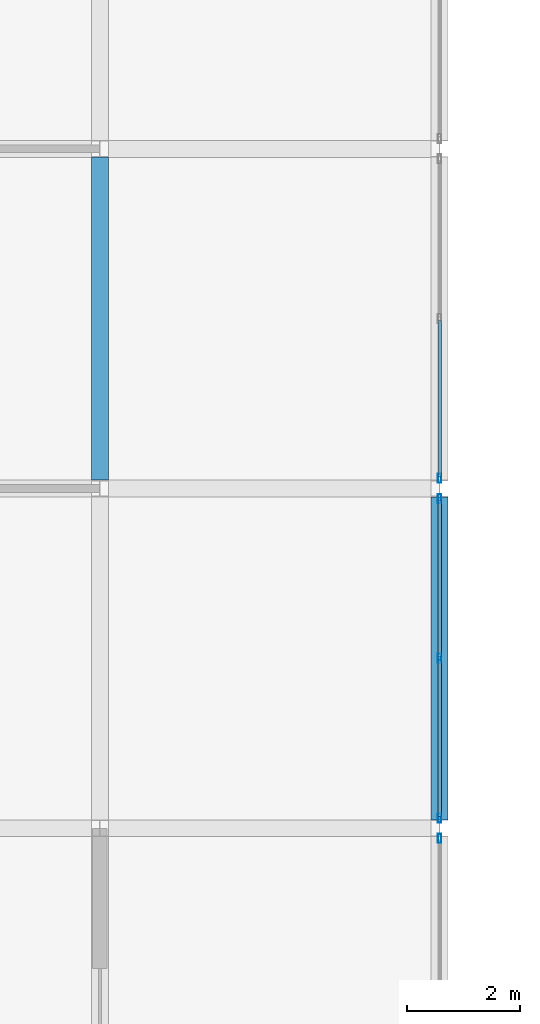
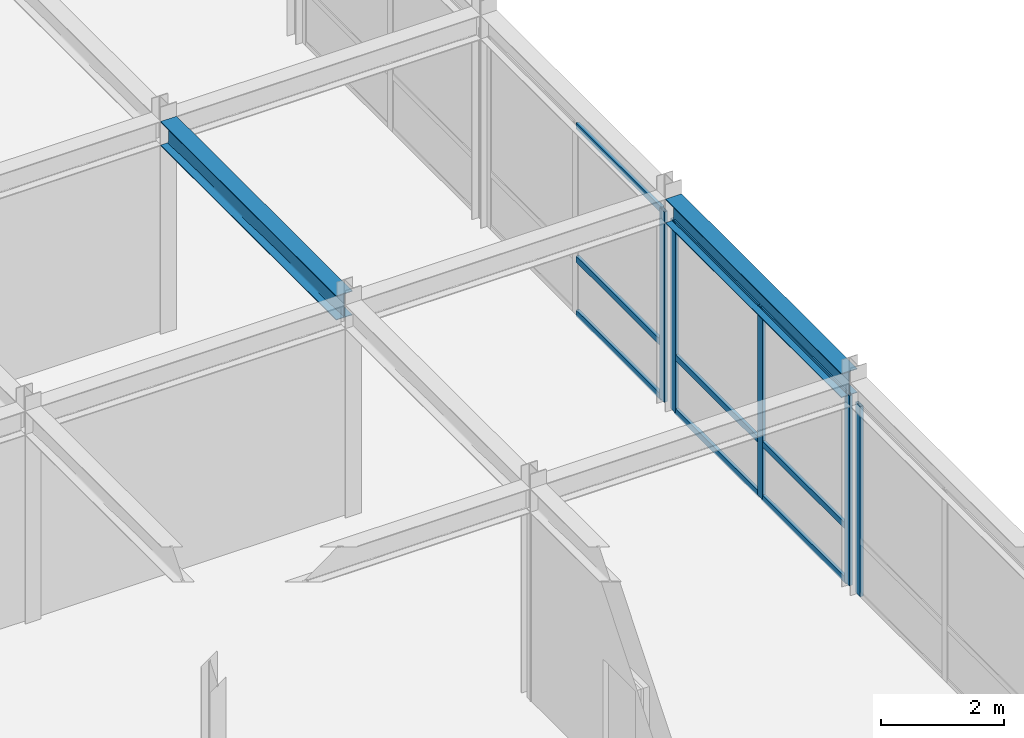
# One storey, part 65 of 108: 14 members, 2 beams, 3 elements without a shape of their own.
"""IFC4 building model written with IfcOpenShell, lengths in metres."""

from ifc_helpers import new_model, si_unit, direction, frame, origin, origin_2d, place, context, subcontext, project, spatial, hollow_rectangle, i_section, extrude, material, layer, layer_set, material_profile, profile_set, type_object, element, aggregate, save


model = new_model("IFC4")

# Units and contexts
model_context = context("Model", 3, precision=1e-05, world=origin(), true_north=direction((0.0, 1.0)))
body_context = subcontext(model_context, "Body", "Model", "MODEL_VIEW")
ifc_project = project(units=[si_unit("LENGTHUNIT", "METRE"), si_unit("AREAUNIT", "SQUARE_METRE"), si_unit("VOLUMEUNIT", "CUBIC_METRE"), si_unit("PLANEANGLEUNIT", "RADIAN"), si_unit("MASSUNIT", "GRAM", prefix="KILO")], contexts=[model_context])

# Site, building, storey
site_placement = place(None, origin())
site = spatial("IfcSite", under=ifc_project, at=site_placement, CompositionType="ELEMENT")
building_placement = place(site_placement, origin())
building = spatial("IfcBuilding", under=site, at=building_placement, Name="Zlatovratsky Civic Hall", CompositionType="ELEMENT")
storey_placement = place(building_placement, frame((0.0, 0.0, 12.0)))
storey = spatial("IfcBuildingStorey", under=building, at=storey_placement, Name="L03", CompositionType="ELEMENT", Elevation=12.0)

# Beams
ifc_material_1 = material(Name="Steel S355", Category="steel")
ifc_material_profile_1 = material_profile(ifc_material_1, i_section(OverallWidth=0.300048828125, OverallDepth=0.48193359375, WebThickness=0.010986328125, FlangeThickness=0.014892578125, FilletRadius=0.02392578125, at=origin_2d()), Name="50Sh1")
ifc_profile_set_1 = profile_set([ifc_material_profile_1], Name="Steel S355")
beam_type = type_object("IfcBeamType", Name="Beam_LibraryGirder_50Sh1", PredefinedType="BEAM", material=ifc_profile_set_1)
for number, where, z_axis, x_axis, name in (
    (1, (114.0, 54.14794921875, 3.97900390625), (0.0, 1.0, 0.0), (-1.0, 0.0, 0.0), "BM-3020"),
    (2, (120.0, 48.14794921875, 3.97900390625), (0.0, 1.0, 0.0), (-1.0, 0.0, 0.0), "BM-3036"),
):
    element("IfcBeam", number, at=place(storey_placement, frame(where, z_axis=z_axis, x_axis=x_axis)), inside=storey, type_object=beam_type, Name=name, PredefinedType="BEAM", context=body_context, shape_type="SweptSolid", body=[
        extrude(i_section(OverallWidth=0.300048828125, OverallDepth=0.48193359375, WebThickness=0.010986328125, FlangeThickness=0.014892578125, FilletRadius=0.02392578125, at=origin_2d()), origin(), (0.0, 0.0, 1.0), 5.7041015625),
    ])

# Curtain wall, member
ifc_material_2 = material(Name="Anodised bronze aluminium", Category="aluminium")
ifc_layer = layer(ifc_material_2, 0.159912109375)
ifc_layer_set = layer_set([ifc_layer], Name="Anodised bronze aluminium")
curtain_wall_type = type_object("IfcCurtainWallType", Name="CurtainWall_Bronze_5700x3770_12", PredefinedType="NOTDEFINED", material=ifc_layer_set)
curtain_wall_1_placement = place(storey_placement, origin())
curtain_wall_1 = element("IfcCurtainWall", 3, at=curtain_wall_1_placement, inside=storey, type_object=curtain_wall_type, Name="CW-077", PredefinedType="NOTDEFINED")
ifc_material_profile_2 = material_profile(ifc_material_2, hollow_rectangle(XDim=0.06005859375, YDim=0.159912109375, WallThickness=0.00390625, at=origin_2d()), Name="ALU 60x160x4")
ifc_profile_set_2 = profile_set([ifc_material_profile_2], Name="Anodised bronze aluminium")
member_type_1 = type_object("IfcMemberType", Name="CW_Mullion_60x160", PredefinedType="MULLION", material=ifc_profile_set_2)
member_1_placement = place(storey_placement, frame((120.0, 47.822021484375, 0.0), z_axis=(0.0, 0.0, 1.0), x_axis=(-1.0, 0.0, 0.0)))
member_1 = element("IfcMember", 4, at=member_1_placement, type_object=member_type_1, Name="CW-12 mullion 3", PredefinedType="MULLION", context=body_context, shape_type="SweptSolid", body=[
    extrude(hollow_rectangle(XDim=0.06005859375, YDim=0.159912109375, WallThickness=0.00390625, at=origin_2d()), origin(), (0.0, 0.0, 1.0), 3.77001953125),
])
aggregate(curtain_wall_1, [member_1])

# Curtain wall, members
curtain_wall_2_placement = place(storey_placement, origin())
curtain_wall_2 = element("IfcCurtainWall", 5, at=curtain_wall_2_placement, inside=storey, type_object=curtain_wall_type, Name="CW-078", PredefinedType="NOTDEFINED")
member_2_placement = place(storey_placement, frame((120.0, 48.177978515625, 0.0), z_axis=(0.0, 0.0, 1.0), x_axis=(-1.0, 0.0, 0.0)))
member_2 = element("IfcMember", 6, at=member_2_placement, type_object=member_type_1, Name="CW-12 mullion 1", PredefinedType="MULLION", context=body_context, shape_type="SweptSolid", body=[
    extrude(hollow_rectangle(XDim=0.06005859375, YDim=0.159912109375, WallThickness=0.00390625, at=origin_2d()), origin(), (0.0, 0.0, 1.0), 3.77001953125),
])
member_3_placement = place(storey_placement, frame((120.0, 51.0, 0.0), z_axis=(0.0, 0.0, 1.0), x_axis=(-1.0, 0.0, 0.0)))
member_3 = element("IfcMember", 7, at=member_3_placement, type_object=member_type_1, Name="CW-12 mullion 2", PredefinedType="MULLION", context=body_context, shape_type="SweptSolid", body=[
    extrude(hollow_rectangle(XDim=0.06005859375, YDim=0.159912109375, WallThickness=0.00390625, at=origin_2d()), origin(), (0.0, 0.0, 1.0), 3.77001953125),
])
member_4_placement = place(storey_placement, frame((120.0, 53.822021484375, 0.0), z_axis=(0.0, 0.0, 1.0), x_axis=(-1.0, 0.0, 0.0)))
member_4 = element("IfcMember", 8, at=member_4_placement, type_object=member_type_1, Name="CW-12 mullion 3", PredefinedType="MULLION", context=body_context, shape_type="SweptSolid", body=[
    extrude(hollow_rectangle(XDim=0.06005859375, YDim=0.159912109375, WallThickness=0.00390625, at=origin_2d()), origin(), (0.0, 0.0, 1.0), 3.77001953125),
])

# Curtain wall, member
curtain_wall_3_placement = place(storey_placement, origin())
curtain_wall_3 = element("IfcCurtainWall", 9, at=curtain_wall_3_placement, inside=storey, type_object=curtain_wall_type, Name="CW-079", PredefinedType="NOTDEFINED")
member_5_placement = place(storey_placement, frame((120.0, 54.177978515625, 0.0), z_axis=(0.0, 0.0, 1.0), x_axis=(-1.0, 0.0, 0.0)))
member_5 = element("IfcMember", 10, at=member_5_placement, type_object=member_type_1, Name="CW-12 mullion 1", PredefinedType="MULLION", context=body_context, shape_type="SweptSolid", body=[
    extrude(hollow_rectangle(XDim=0.06005859375, YDim=0.159912109375, WallThickness=0.00390625, at=origin_2d()), origin(), (0.0, 0.0, 1.0), 3.77001953125),
])

# Member
ifc_material_profile_3 = material_profile(ifc_material_2, hollow_rectangle(XDim=0.06005859375, YDim=0.1201171875, WallThickness=0.00390625, at=origin_2d()), Name="ALU 60x120x4")
ifc_profile_set_3 = profile_set([ifc_material_profile_3], Name="Anodised bronze aluminium")
member_type_2 = type_object("IfcMemberType", Name="CW_Transom_60x120", PredefinedType="USERDEFINED", material=ifc_profile_set_3)
member_6_placement = place(storey_placement, frame((120.0, 48.2080078125, 0.030029296875), z_axis=(0.0, 1.0, 0.0), x_axis=(-1.0, 0.0, 0.0)))
member_6 = element("IfcMember", 11, at=member_6_placement, type_object=member_type_2, Name="CW-12 transom 1.1", ObjectType="TRANSOM", PredefinedType="USERDEFINED", context=body_context, shape_type="SweptSolid", body=[
    extrude(hollow_rectangle(XDim=0.06005859375, YDim=0.1201171875, WallThickness=0.00390625, at=origin_2d()), origin(), (0.0, 0.0, 1.0), 2.761962890625),
])

member_7_placement = place(storey_placement, frame((120.0, 48.2080078125, 1.10009765625), z_axis=(0.0, 1.0, 0.0), x_axis=(-1.0, 0.0, 0.0)))
member_7 = element("IfcMember", 12, at=member_7_placement, type_object=member_type_2, Name="CW-12 transom 1.2", ObjectType="TRANSOM", PredefinedType="USERDEFINED", context=body_context, shape_type="SweptSolid", body=[
    extrude(hollow_rectangle(XDim=0.06005859375, YDim=0.1201171875, WallThickness=0.00390625, at=origin_2d()), origin(), (0.0, 0.0, 1.0), 2.761962890625),
])

member_8_placement = place(storey_placement, frame((120.0, 48.2080078125, 3.739990234375), z_axis=(0.0, 1.0, 0.0), x_axis=(-1.0, 0.0, 0.0)))
member_8 = element("IfcMember", 13, at=member_8_placement, type_object=member_type_2, Name="CW-12 transom 1.3", ObjectType="TRANSOM", PredefinedType="USERDEFINED", context=body_context, shape_type="SweptSolid", body=[
    extrude(hollow_rectangle(XDim=0.06005859375, YDim=0.1201171875, WallThickness=0.00390625, at=origin_2d()), origin(), (0.0, 0.0, 1.0), 2.761962890625),
])

member_9_placement = place(storey_placement, frame((120.0, 51.030029296875, 0.030029296875), z_axis=(0.0, 1.0, 0.0), x_axis=(-1.0, 0.0, 0.0)))
member_9 = element("IfcMember", 14, at=member_9_placement, type_object=member_type_2, Name="CW-12 transom 2.1", ObjectType="TRANSOM", PredefinedType="USERDEFINED", context=body_context, shape_type="SweptSolid", body=[
    extrude(hollow_rectangle(XDim=0.06005859375, YDim=0.1201171875, WallThickness=0.00390625, at=origin_2d()), origin(), (0.0, 0.0, 1.0), 2.761962890625),
])

member_10_placement = place(storey_placement, frame((120.0, 51.030029296875, 1.10009765625), z_axis=(0.0, 1.0, 0.0), x_axis=(-1.0, 0.0, 0.0)))
member_10 = element("IfcMember", 15, at=member_10_placement, type_object=member_type_2, Name="CW-12 transom 2.2", ObjectType="TRANSOM", PredefinedType="USERDEFINED", context=body_context, shape_type="SweptSolid", body=[
    extrude(hollow_rectangle(XDim=0.06005859375, YDim=0.1201171875, WallThickness=0.00390625, at=origin_2d()), origin(), (0.0, 0.0, 1.0), 2.761962890625),
])

member_11_placement = place(storey_placement, frame((120.0, 51.030029296875, 3.739990234375), z_axis=(0.0, 1.0, 0.0), x_axis=(-1.0, 0.0, 0.0)))
member_11 = element("IfcMember", 16, at=member_11_placement, type_object=member_type_2, Name="CW-12 transom 2.3", ObjectType="TRANSOM", PredefinedType="USERDEFINED", context=body_context, shape_type="SweptSolid", body=[
    extrude(hollow_rectangle(XDim=0.06005859375, YDim=0.1201171875, WallThickness=0.00390625, at=origin_2d()), origin(), (0.0, 0.0, 1.0), 2.761962890625),
])

aggregate(curtain_wall_2, [member_2, member_3, member_4, member_6, member_7, member_8, member_9, member_10, member_11])

member_12_placement = place(storey_placement, frame((120.0, 54.2080078125, 0.030029296875), z_axis=(0.0, 1.0, 0.0), x_axis=(-1.0, 0.0, 0.0)))
member_12 = element("IfcMember", 17, at=member_12_placement, type_object=member_type_2, Name="CW-12 transom 1.1", ObjectType="TRANSOM", PredefinedType="USERDEFINED", context=body_context, shape_type="SweptSolid", body=[
    extrude(hollow_rectangle(XDim=0.06005859375, YDim=0.1201171875, WallThickness=0.00390625, at=origin_2d()), origin(), (0.0, 0.0, 1.0), 2.761962890625),
])

member_13_placement = place(storey_placement, frame((120.0, 54.2080078125, 1.10009765625), z_axis=(0.0, 1.0, 0.0), x_axis=(-1.0, 0.0, 0.0)))
member_13 = element("IfcMember", 18, at=member_13_placement, type_object=member_type_2, Name="CW-12 transom 1.2", ObjectType="TRANSOM", PredefinedType="USERDEFINED", context=body_context, shape_type="SweptSolid", body=[
    extrude(hollow_rectangle(XDim=0.06005859375, YDim=0.1201171875, WallThickness=0.00390625, at=origin_2d()), origin(), (0.0, 0.0, 1.0), 2.761962890625),
])

member_14_placement = place(storey_placement, frame((120.0, 54.2080078125, 3.739990234375), z_axis=(0.0, 1.0, 0.0), x_axis=(-1.0, 0.0, 0.0)))
member_14 = element("IfcMember", 19, at=member_14_placement, type_object=member_type_2, Name="CW-12 transom 1.3", ObjectType="TRANSOM", PredefinedType="USERDEFINED", context=body_context, shape_type="SweptSolid", body=[
    extrude(hollow_rectangle(XDim=0.06005859375, YDim=0.1201171875, WallThickness=0.00390625, at=origin_2d()), origin(), (0.0, 0.0, 1.0), 2.761962890625),
])

aggregate(curtain_wall_3, [member_5, member_12, member_13, member_14])

save(model, "model.ifc")
